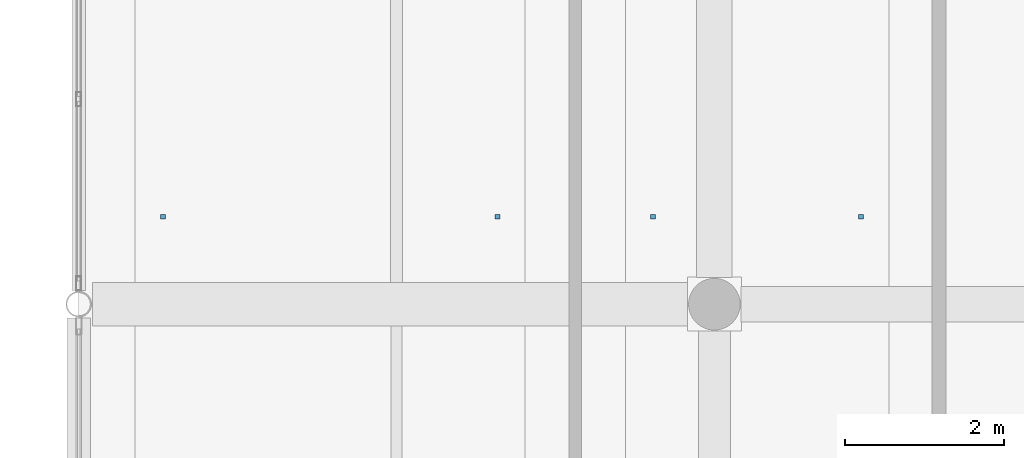
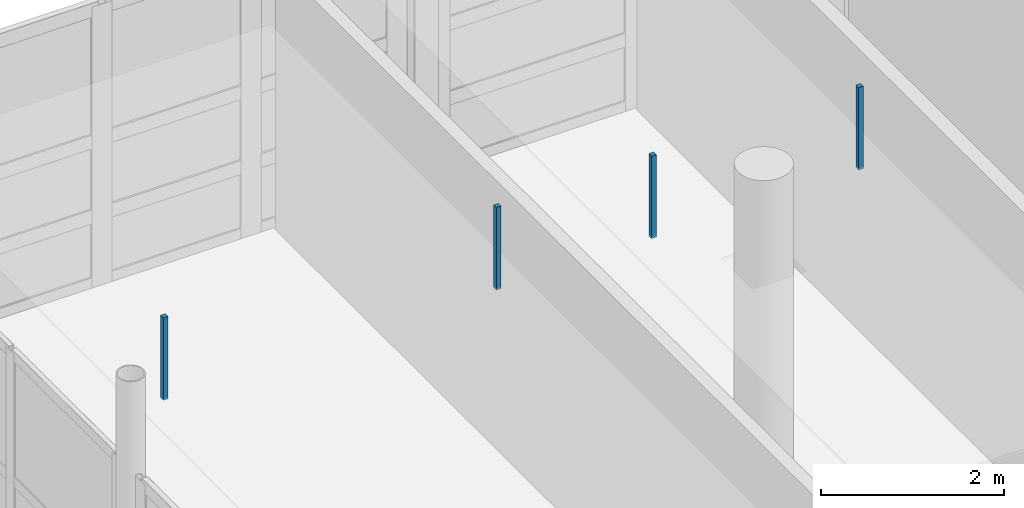
# One storey, part 115 of 147: 4 discrete accessories.
"""IFC4 building model written with IfcOpenShell, lengths in metres."""

import ifcopenshell
import ifcopenshell.guid

model = None  # the IFC model being written
_history = None  # IfcOwnerHistory: only IFC2X3 demands one
_inside = {}  # id of a spatial element -> (the spatial element, [elements in it])
_under = {}  # id of a project, library or spatial element -> (it, [spatial elements below it])
_declared = {}  # id of a project -> (the project, [libraries it declares])
_typed = {}  # id of a type object -> (the type object, [elements of that type])
_made_of = {}  # id of a material, layer set ... -> (it, [elements and type objects made of it])


def new_model(schema):
    """Start an empty IFC model of exactly this schema.

    Asked for "IFC4X3", IfcOpenShell would pick the latest addendum, in which some entities
    have other attributes; the version numbers below select the first issue.
    IFC2X3 requires an IfcOwnerHistory on every rooted entity: one is made here for all.
    """
    global model, _history
    if schema == "IFC4X3":
        model = ifcopenshell.file(schema_version=(4, 3, 0, 0))
    else:
        model = ifcopenshell.file(schema=schema)
    _inside.clear()
    _under.clear()
    _declared.clear()
    _typed.clear()
    _made_of.clear()
    _history = None
    if model.schema == "IFC2X3":
        org = make("IfcOrganization", Name="unknown")
        user = make(
            "IfcPersonAndOrganization",
            ThePerson=make("IfcPerson", FamilyName="unknown"),
            TheOrganization=org,
        )
        app = make(
            "IfcApplication",
            ApplicationDeveloper=org,
            Version="unknown",
            ApplicationFullName="unknown",
            ApplicationIdentifier="unknown",
        )
        _history = make(
            "IfcOwnerHistory",
            OwningUser=user,
            OwningApplication=app,
            ChangeAction="ADDED",
            CreationDate=0,
        )
    return model


def make(cls, **values):
    """One entity of the class cls with the attributes given. An attribute that is None is left unset."""
    return model.create_entity(
        cls, **{name: value for name, value in values.items() if value is not None}
    )


def rooted(cls, **values):
    """An entity with a GlobalId (a new one), such as an element, a storey or a relation."""
    return make(cls, GlobalId=ifcopenshell.guid.new(), OwnerHistory=_history, **values)


def si_unit(unit_type, name, prefix=None):
    """IfcSIUnit, for example si_unit("LENGTHUNIT", "METRE", prefix="MILLI")."""
    return make("IfcSIUnit", UnitType=unit_type, Prefix=prefix, Name=name)


def assignment(units):
    """IfcUnitAssignment: the units of a project."""
    return None if units is None else make("IfcUnitAssignment", Units=units)


def point(xyz):
    """IfcCartesianPoint."""
    return None if xyz is None else make("IfcCartesianPoint", Coordinates=xyz)


def direction(xyz):
    """IfcDirection."""
    return None if xyz is None else make("IfcDirection", DirectionRatios=xyz)


def frame(location, z_axis=None, x_axis=None):
    """IfcAxis2Placement3D, a coordinate frame: its origin and axes. An axis left out is left unset."""
    return make(
        "IfcAxis2Placement3D",
        Location=point(location),
        Axis=direction(z_axis),
        RefDirection=direction(x_axis),
    )


def frame_2d(location, x_axis=None):
    """IfcAxis2Placement2D, a coordinate frame in the plane: its origin and x axis."""
    return make(
        "IfcAxis2Placement2D", Location=point(location), RefDirection=direction(x_axis)
    )


def origin():
    """The frame at (0, 0, 0) with its axes left unset."""
    return frame((0.0, 0.0, 0.0))


def origin_2d():
    """The frame at (0, 0) in the plane with its x axis left unset."""
    return frame_2d((0.0, 0.0))


def place(relative_to, where):
    """IfcLocalPlacement: puts the frame where relative to a parent placement (None: the world)."""
    return make(
        "IfcLocalPlacement", PlacementRelTo=relative_to, RelativePlacement=where
    )


def context(
    kind, dimensions, precision=None, world=None, true_north=None, identifier=None
):
    """IfcGeometricRepresentationContext, for example the 3D "Model" context."""
    return make(
        "IfcGeometricRepresentationContext",
        ContextIdentifier=identifier,
        ContextType=kind,
        CoordinateSpaceDimension=dimensions,
        Precision=precision,
        WorldCoordinateSystem=world,
        TrueNorth=true_north,
    )


def subcontext(parent, identifier, kind, view, scale=None):
    """IfcGeometricRepresentationSubContext, for example "Body" below "Model"."""
    return make(
        "IfcGeometricRepresentationSubContext",
        ContextIdentifier=identifier,
        ContextType=kind,
        ParentContext=parent,
        TargetScale=scale,
        TargetView=view,
    )


def project(units=None, contexts=None):
    """IfcProject with its units and contexts."""
    return rooted(
        "IfcProject",
        Name="project",
        RepresentationContexts=contexts,
        UnitsInContext=assignment(units),
    )


def spatial(cls, under=None, at=None, **own):
    """A site, building, storey or space (cls), placed at a placement, below another one or the project."""
    s = rooted(cls, ObjectPlacement=at, **own)
    if under is not None:
        _under.setdefault(under.id(), (under, []))[1].append(s)
    return s


def profile(cls, at=None, kind="AREA", **sizes):
    """A parametric profile (cls). Its sizes go by their IFC names, for example OverallWidth=200.0."""
    return make(cls, ProfileType=kind, Position=at, **sizes)


def rectangle(**sizes):
    """IfcRectangleProfileDef."""
    return profile("IfcRectangleProfileDef", **sizes)


def extrude(swept, where, along, depth):
    """IfcExtrudedAreaSolid: the profile swept, set in the frame where, extruded along a direction by depth."""
    return make(
        "IfcExtrudedAreaSolid",
        SweptArea=swept,
        Position=where,
        ExtrudedDirection=direction(along),
        Depth=depth,
    )


def shape(context_of_items, identifier, shape_type, items):
    """IfcShapeRepresentation: the items that make up one representation, for example the "Body"."""
    return make(
        "IfcShapeRepresentation",
        ContextOfItems=context_of_items,
        RepresentationIdentifier=identifier,
        RepresentationType=shape_type,
        Items=items,
    )


def material(Name=None, Category=None):
    """IfcMaterial."""
    return make("IfcMaterial", Name=Name, Category=Category)


def made_of(thing, what):
    """Note that an element or type object is made of a material, layer set ...; save() writes the relation."""
    if what is not None:
        _made_of.setdefault(what.id(), (what, []))[1].append(thing)
    return thing


def type_object(cls, material=None, **own):
    """A type object (cls), such as IfcWallType, which elements share."""
    return made_of(rooted(cls, **own), material)


def element(
    cls,
    number,
    at=None,
    inside=None,
    cuts=None,
    type_object=None,
    material=None,
    context=None,
    identifier="Body",
    shape_type=None,
    held_by="IfcProductDefinitionShape",
    body=None,
    shapes=None,
    **own,
):
    """One element of the class cls, such as IfcWall. Its Tag is "e" and its number.

    at: its placement. inside: the storey or other place that contains it. cuts: it is an
    opening in that element (IfcRelVoidsElement). A single representation is given by context,
    identifier, shape_type and body (its items); several are given by shapes. held_by: the class
    of the entity that holds the representations. save() writes the other relations.
    """
    e = rooted(cls, Tag="e%d" % number, ObjectPlacement=at, **own)
    if body is not None:
        shapes = [shape(context, identifier, shape_type, body)]
    if shapes is not None:
        e.Representation = make(held_by, Representations=shapes)
    if inside is not None:
        _inside.setdefault(inside.id(), (inside, []))[1].append(e)
    if cuts is not None:
        rooted(
            "IfcRelVoidsElement", RelatingBuildingElement=cuts, RelatedOpeningElement=e
        )
    if type_object is not None:
        _typed.setdefault(type_object.id(), (type_object, []))[1].append(e)
    return made_of(e, material)


def aggregate(whole, parts):
    """IfcRelAggregates: a whole, such as a stair, and the parts it consists of."""
    return rooted("IfcRelAggregates", RelatingObject=whole, RelatedObjects=parts)


def save(model, path):
    """Write the relations noted so far, then the file.

    IfcRelAggregates (storeys below a building ...), IfcRelContainedInSpatialStructure (elements
    in a storey), IfcRelDefinesByType, IfcRelAssociatesMaterial and IfcRelDeclares: one each for
    every whole, place, type object, material and project.
    """
    for whole, parts in _under.values():
        aggregate(whole, parts)
    for where, things in _inside.values():
        rooted(
            "IfcRelContainedInSpatialStructure",
            RelatedElements=things,
            RelatingStructure=where,
        )
    for kind, things in _typed.values():
        rooted("IfcRelDefinesByType", RelatedObjects=things, RelatingType=kind)
    for what, things in _made_of.values():
        rooted("IfcRelAssociatesMaterial", RelatedObjects=things, RelatingMaterial=what)
    for by, libraries in _declared.values():
        rooted("IfcRelDeclares", RelatingContext=by, RelatedDefinitions=libraries)
    model.write(path)


model = new_model("IFC4")

# Units and contexts
model_context = context("Model", 3, precision=1e-05, world=origin(), true_north=direction((0.0, 1.0)))
body_context = subcontext(model_context, "Body", "Model", "MODEL_VIEW")
ifc_project = project(units=[si_unit("LENGTHUNIT", "METRE"), si_unit("AREAUNIT", "SQUARE_METRE"), si_unit("VOLUMEUNIT", "CUBIC_METRE"), si_unit("PLANEANGLEUNIT", "RADIAN"), si_unit("MASSUNIT", "GRAM", prefix="KILO")], contexts=[model_context])

# Site, building, storey
site_placement = place(None, origin())
site = spatial("IfcSite", under=ifc_project, at=site_placement, CompositionType="ELEMENT")
building_placement = place(site_placement, origin())
building = spatial("IfcBuilding", under=site, at=building_placement, Name="Khelvaren Railside Concert Hall", CompositionType="ELEMENT")
storey_placement = place(building_placement, frame((0.0, 0.0, 5.39990234375)))
storey = spatial("IfcBuildingStorey", under=building, at=storey_placement, Name="L01", CompositionType="ELEMENT", Elevation=5.39990234375)

# Discrete accessories
ifc_material = material(Name="Galvanised steel acoustic ceiling hanger rod", Category="steel")
discrete_accessory_type = type_object("IfcDiscreteAccessoryType", Name="BRK62", PredefinedType="BRACKET", material=ifc_material)
for number, where, z_axis, x_axis, name in (
    (1, (145.06005859375, 31.5, 3.429931640625), (0.0, 0.0, 1.0), (1.0, 0.0, 0.0), "Acoustic Ceiling Suspension Bracket 47-1"),
    (2, (149.26904296875, 31.5, 3.429931640625), (0.0, 0.0, 1.0), (1.0, 0.0, 0.0), "Acoustic Ceiling Suspension Bracket 47-2"),
    (3, (151.22900390625, 31.5, 3.429931640625), (0.0, 0.0, 1.0), (1.0, 0.0, 0.0), "Acoustic Ceiling Suspension Bracket 48-1"),
    (4, (153.845947265625, 31.5, 3.429931640625), (0.0, 0.0, 1.0), (1.0, 0.0, 0.0), "Acoustic Ceiling Suspension Bracket 48-2"),
):
    element("IfcDiscreteAccessory", number, at=place(storey_placement, frame(where, z_axis=z_axis, x_axis=x_axis)), inside=storey, type_object=discrete_accessory_type, Name=name, PredefinedType="BRACKET", context=body_context, shape_type="SweptSolid", body=[
        extrude(rectangle(XDim=0.06005859375, YDim=0.06005859375, at=origin_2d()), origin(), (0.0, 0.0, 1.0), 1.10009765625),
    ])

save(model, "model.ifc")
